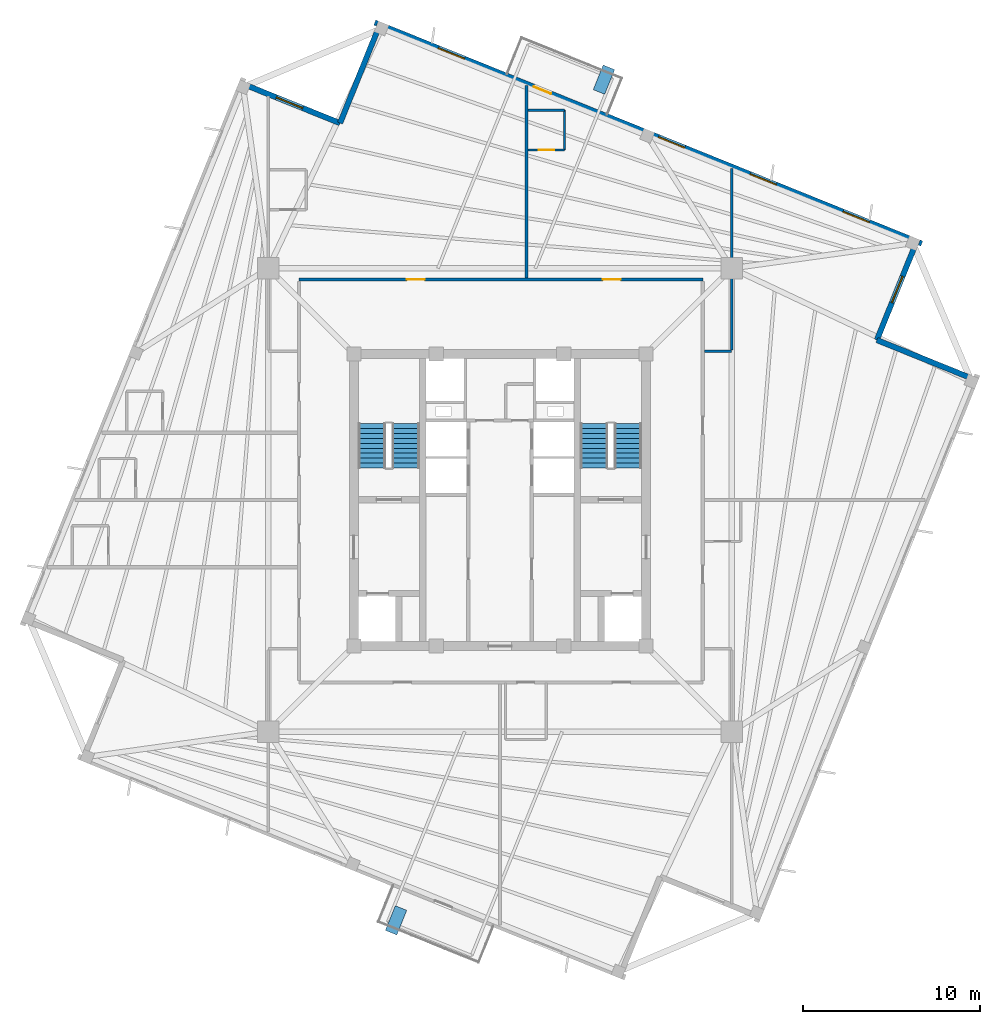
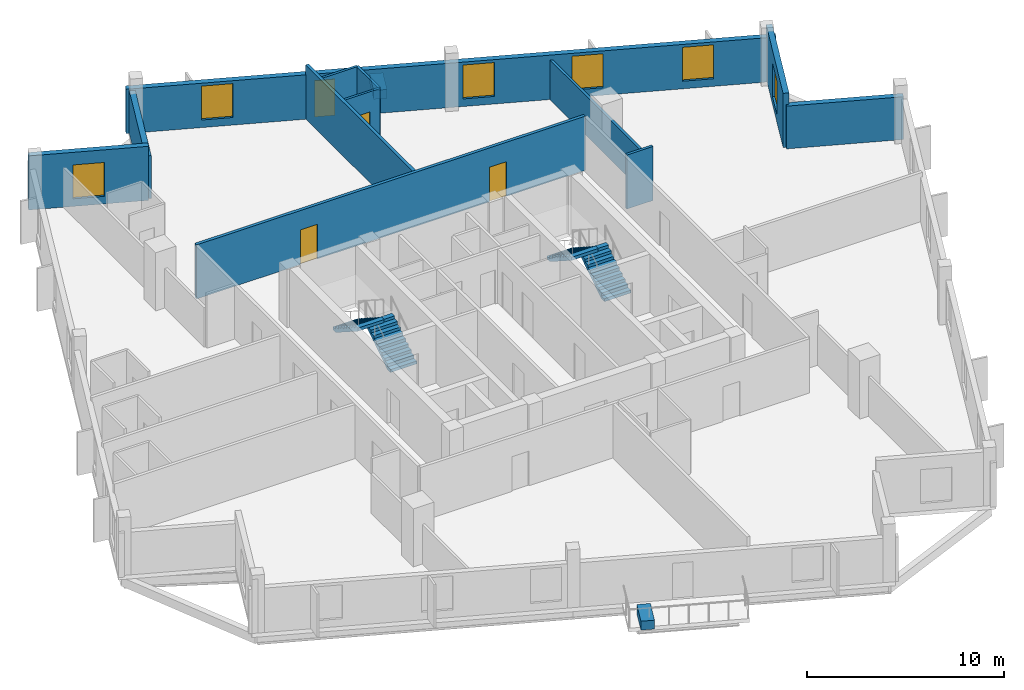
# One storey, part 5 of 8: 12 walls, 6 windows, 4 doors, 4 stair flights, 2 discrete accessories, 10 openings, 2 elements without a shape of their own.
"""IFC4 building model written with IfcOpenShell, lengths in metres."""

from ifc_helpers import new_model, si_unit, direction, frame, frame_2d, origin, origin_2d, place, context, subcontext, project, spatial, polyline, rectangle, outline, extrude, source, transform, mapped, material, layer, layer_set, type_object, element, fill, aggregate, save


model = new_model("IFC4")

# Units and contexts
model_context = context("Model", 3, precision=1e-05, world=origin(), true_north=direction((0.0, 1.0)))
body_context = subcontext(model_context, "Body", "Model", "MODEL_VIEW")
ifc_project = project(units=[si_unit("LENGTHUNIT", "METRE"), si_unit("AREAUNIT", "SQUARE_METRE"), si_unit("VOLUMEUNIT", "CUBIC_METRE"), si_unit("PLANEANGLEUNIT", "RADIAN"), si_unit("MASSUNIT", "GRAM", prefix="KILO"), si_unit("THERMODYNAMICTEMPERATUREUNIT", "KELVIN")], contexts=[model_context])

# Site, building, storey
site_placement = place(None, origin())
site = spatial("IfcSite", under=ifc_project, at=site_placement, CompositionType="ELEMENT")
building_placement = place(site_placement, origin())
building = spatial("IfcBuilding", under=site, at=building_placement, Name="Kosmvard Interchange Tower", CompositionType="ELEMENT")
storey_placement = place(building_placement, frame((0.0, 0.0, 286.800048828125)))
storey = spatial("IfcBuildingStorey", under=building, at=storey_placement, Name="L70", CompositionType="ELEMENT", Elevation=286.800048828125)

# Walls
ifc_material_1 = material(Name="Acoustic gypsum partition system")
ifc_layer_1 = layer(ifc_material_1, 0.14990234375, Name="Acoustic gypsum partition system")
ifc_layer_set_1 = layer_set([ifc_layer_1], Name="Acoustic gypsum partition system")
wall_type_1 = type_object("IfcWallType", Name="Acoustic Suite & Meeting Partition 150", PredefinedType="PARTITIONING", material=ifc_layer_set_1)
wall_1_placement = place(storey_placement, frame((11.544921875, 8.39990234375, 0.0), z_axis=(0.0, 0.0, 1.0), x_axis=(1.0, 0.0, 0.0)))
element("IfcWall", 1, at=wall_1_placement, inside=storey, type_object=wall_type_1, Name="L70 Room Partition 09.1", PredefinedType="PARTITIONING", context=body_context, shape_type="SweptSolid", body=[
    extrude(rectangle(XDim=1.5361328125, YDim=0.14990234375, at=frame_2d((0.76806640625, 0.0))), origin(), (0.0, 0.0, 1.0), 3.349853515625),
])
wall_2_placement = place(storey_placement, frame((13.0810546875, 8.47509765625, 0.0), z_axis=(0.0, 0.0, 1.0), x_axis=(0.0, 1.0, 0.0)))
element("IfcWall", 2, at=wall_2_placement, inside=storey, type_object=wall_type_1, Name="L70 Room Partition 10.1", PredefinedType="PARTITIONING", context=body_context, shape_type="SweptSolid", body=[
    extrude(rectangle(XDim=10.24267578125, YDim=0.14990234375, at=frame_2d((5.121337890625, 0.0))), origin(), (0.0, 0.0, 1.0), 2.449951171875),
])

# Wall, openings, doors
ifc_material_2 = material(Name="Fire-rated gypsum partition system")
ifc_layer_2 = layer(ifc_material_2, 0.179931640625, Name="Fire-rated gypsum partition system")
ifc_layer_set_2 = layer_set([ifc_layer_2], Name="Fire-rated gypsum partition system")
wall_type_2 = type_object("IfcWallType", Name="Corridor & Hotel Compartment Partition 180", PredefinedType="PARTITIONING", material=ifc_layer_set_2)
wall_3_placement = place(storey_placement, frame((-11.35009765625, 12.449951171875, 0.0), z_axis=(0.0, 0.0, 1.0), x_axis=(1.0, 0.0, 0.0)))
wall_3 = element("IfcWall", 3, at=wall_3_placement, inside=storey, type_object=wall_type_2, Name="L70 Corridor Wall CN", PredefinedType="PARTITIONING", context=body_context, shape_type="SweptSolid", body=[
    extrude(rectangle(XDim=22.800048828125, YDim=0.179931640625, at=frame_2d((11.39990234375, 0.0))), origin(), (0.0, 0.0, 1.0), 3.349853515625),
])
opening_1_placement = place(wall_3_placement, frame((6.08935546875, 0.0, 0.0)))
opening_1 = element("IfcOpeningElement", 4, at=opening_1_placement, cuts=wall_3, Name="Opening L70-D06", PredefinedType="OPENING", context=body_context, shape_type="SweptSolid", body=[
    extrude(rectangle(XDim=1.0, YDim=2.14990234375, at=frame_2d((0.5, 1.074951171875))), frame((0.0, 0.10009765625, 0.0), z_axis=(0.0, -1.0, 0.0), x_axis=(1.0, 0.0, 0.0)), (0.0, 0.0, 1.0), 0.199951171875),
])
opening_2_placement = place(wall_3_placement, frame((17.16064453125, 0.0, 0.0)))
opening_2 = element("IfcOpeningElement", 5, at=opening_2_placement, cuts=wall_3, Name="Opening L70-D08", PredefinedType="OPENING", context=body_context, shape_type="SweptSolid", body=[
    extrude(rectangle(XDim=1.0, YDim=2.14990234375, at=frame_2d((0.5, 1.074951171875))), frame((0.0, 0.10009765625, 0.0), z_axis=(0.0, -1.0, 0.0), x_axis=(1.0, 0.0, 0.0)), (0.0, 0.0, 1.0), 0.199951171875),
])
ifc_material_3 = material(Name="Engineered oak fire-rated timber", Category="wood")
door_type_1 = type_object("IfcDoorType", Name="Hotel Guestroom Entrance Door 1000x2150 EI60", OperationType="NOTDEFINED", PredefinedType="DOOR", material=ifc_material_3)
shared_shape_1 = source(origin(), body_context, "Body", "SweptSolid", [
    extrude(rectangle(XDim=1.0, YDim=2.14990234375, at=frame_2d((0.5, 1.074951171875))), frame((0.0, 0.02490234375, 0.0), z_axis=(0.0, -1.0, 0.0), x_axis=(1.0, 0.0, 0.0)), (0.0, 0.0, 1.0), 0.050048828125),
])
door_1_placement = place(opening_1_placement, origin())
door_1 = element("IfcDoor", 6, at=door_1_placement, inside=storey, type_object=door_type_1, Name="L70 Hotel Executive Suite 3 Door", OperationType="SINGLE_SWING_RIGHT", OverallHeight=2.14990234375, OverallWidth=1.0, PredefinedType="DOOR", context=body_context, shape_type="MappedRepresentation", body=[
    mapped(shared_shape_1, transform((0.0, 0.0, 0.0), scale=1.0)),
])
fill(opening_1, door_1)
door_2_placement = place(opening_2_placement, origin())
door_2 = element("IfcDoor", 7, at=door_2_placement, inside=storey, type_object=door_type_1, Name="L70 Hotel South-East Corner Suite 4 Door", OperationType="SINGLE_SWING_RIGHT", OverallHeight=2.14990234375, OverallWidth=1.0, PredefinedType="DOOR", context=body_context, shape_type="MappedRepresentation", body=[
    mapped(shared_shape_1, transform((0.0, 0.0, 0.0), scale=1.0)),
])
fill(opening_2, door_2)

# Walls
wall_4_placement = place(storey_placement, frame((1.5, 12.544921875, 0.0), z_axis=(0.0, 0.0, 1.0), x_axis=(0.0, 1.0, 0.0)))
element("IfcWall", 8, at=wall_4_placement, inside=storey, type_object=wall_type_2, Name="L70 Room Partition 01.1", PredefinedType="PARTITIONING", context=body_context, shape_type="SweptSolid", body=[
    extrude(rectangle(XDim=10.851806640625, YDim=0.179931640625, at=frame_2d((5.42578125, 0.0))), origin(), (0.0, 0.0, 1.0), 3.349853515625),
])
ifc_material_4 = material(Name="Precast concrete C45/55", Category="concrete")
ifc_layer_3 = layer(ifc_material_4, 0.31005859375, Name="Precast concrete C45/55")
ifc_layer_set_3 = layer_set([ifc_layer_3], Name="Precast concrete C45/55")
wall_type_3 = type_object("IfcWallType", Name="Upper Tower Precast Pier Wall 310 C45/55", PredefinedType="STANDARD", material=ifc_layer_set_3)
wall_5_placement = place(storey_placement, frame((26.8408203125, 6.7841796875, 0.0), z_axis=(0.0, 0.0, 1.0), x_axis=(-0.927171722085, 0.374636620962, 0.0)))
element("IfcWall", 9, at=wall_5_placement, inside=storey, type_object=wall_type_3, Name="L70 Precast Facade Wall N-SE1", PredefinedType="STANDARD", context=body_context, shape_type="SweptSolid", body=[
    extrude(rectangle(XDim=6.0, YDim=0.31005859375, at=frame_2d((3.0, 0.0))), origin(), (0.0, 0.0, 1.0), 2.64990234375),
])

# Wall, opening, window
wall_6_placement = place(storey_placement, frame((21.27783203125, 9.031982421875, 0.0), z_axis=(0.0, 0.0, 1.0), x_axis=(0.374602739196, 0.927185411764, 0.0)))
wall_6 = element("IfcWall", 10, at=wall_6_placement, inside=storey, type_object=wall_type_3, Name="L70 Precast Facade Wall N-SE2", PredefinedType="STANDARD", context=body_context, shape_type="SweptSolid", body=[
    extrude(rectangle(XDim=6.155029296875, YDim=0.31005859375, at=frame_2d((3.07763671875, 0.0))), origin(), (0.0, 0.0, 1.0), 3.349853515625),
])
opening_3_placement = place(wall_6_placement, frame((2.277587890625, 0.0, 0.469970703125)))
opening_3 = element("IfcOpeningElement", 11, at=opening_3_placement, cuts=wall_6, Name="Opening L70-W19", PredefinedType="OPENING", context=body_context, shape_type="SweptSolid", body=[
    extrude(rectangle(XDim=1.60009765625, YDim=2.10009765625, at=frame_2d((0.800048828125, 1.050048828125))), frame((0.0, 0.1650390625, 0.0), z_axis=(0.0, -1.0, 0.0), x_axis=(1.0, 0.0, 0.0)), (0.0, 0.0, 1.0), 0.330078125),
])
ifc_material_5 = material(Name="Low-E acoustic double glazing", Category="glass")
window_type = type_object("IfcWindowType", Name="Zone 5 Hotel Punched Window 1600x2100", PartitioningType="SINGLE_PANEL", PredefinedType="WINDOW", material=ifc_material_5)
shared_shape_2 = source(origin(), body_context, "Body", "SweptSolid", [
    extrude(rectangle(XDim=1.60009765625, YDim=2.10009765625, at=frame_2d((0.800048828125, 1.050048828125))), frame((0.0, 0.030029296875, 0.0), z_axis=(0.0, -1.0, 0.0), x_axis=(1.0, 0.0, 0.0)), (0.0, 0.0, 1.0), 0.06005859375),
])
window_1_placement = place(opening_3_placement, origin())
window_1 = element("IfcWindow", 12, at=window_1_placement, inside=storey, type_object=window_type, Name="L70 Corner Notch Window 19", OverallHeight=2.10009765625, OverallWidth=1.60009765625, PartitioningType="SINGLE_PANEL", PredefinedType="WINDOW", context=body_context, shape_type="MappedRepresentation", body=[
    mapped(shared_shape_2, transform((0.0, 0.0, 0.0), scale=1.0)),
])
fill(opening_3, window_1)

# Wall, openings, door, windows
wall_7_placement = place(storey_placement, frame((23.812744140625, 14.478759765625, 0.0), z_axis=(0.0, 0.0, 1.0), x_axis=(-0.927182657188, 0.374609557019, 0.0)))
wall_7 = element("IfcWall", 13, at=wall_7_placement, inside=storey, type_object=wall_type_3, Name="L70 Precast Facade Wall F-E", PredefinedType="STANDARD", context=body_context, shape_type="SweptSolid", body=[
    extrude(rectangle(XDim=33.31005859375, YDim=0.31005859375, at=frame_2d((16.655029296875, 0.0))), origin(), (0.0, 0.0, 1.0), 2.75),
])
opening_4_placement = place(wall_7_placement, frame((22.580078125, 0.0, 0.0)))
opening_4 = element("IfcOpeningElement", 14, at=opening_4_placement, cuts=wall_7, Name="Opening L70-BDE", PredefinedType="OPENING", context=body_context, shape_type="SweptSolid", body=[
    extrude(rectangle(XDim=1.050048828125, YDim=2.25, at=frame_2d((0.52490234375, 1.125))), frame((0.0, 0.1650390625, 0.0), z_axis=(0.0, -1.0, 0.0), x_axis=(1.0, 0.0, 0.0)), (0.0, 0.0, 1.0), 0.330078125),
])
opening_5_placement = place(wall_7_placement, frame((3.197265625, 0.0, 0.469970703125)))
opening_5 = element("IfcOpeningElement", 15, at=opening_5_placement, cuts=wall_7, Name="Opening L70-W06", PredefinedType="OPENING", context=body_context, shape_type="SweptSolid", body=[
    extrude(rectangle(XDim=1.60009765625, YDim=2.10009765625, at=frame_2d((0.800048828125, 1.050048828125))), frame((0.0, 0.1650390625, 0.0), z_axis=(0.0, -1.0, 0.0), x_axis=(1.0, 0.0, 0.0)), (0.0, 0.0, 1.0), 0.330078125),
])
opening_6_placement = place(wall_7_placement, frame((8.85986328125, 0.0, 0.469970703125)))
opening_6 = element("IfcOpeningElement", 16, at=opening_6_placement, cuts=wall_7, Name="Opening L70-W07", PredefinedType="OPENING", context=body_context, shape_type="SweptSolid", body=[
    extrude(rectangle(XDim=1.60009765625, YDim=2.10009765625, at=frame_2d((0.800048828125, 1.050048828125))), frame((0.0, 0.1650390625, 0.0), z_axis=(0.0, -1.0, 0.0), x_axis=(1.0, 0.0, 0.0)), (0.0, 0.0, 1.0), 0.330078125),
])
opening_7_placement = place(wall_7_placement, frame((14.438720703125, 0.0, 0.469970703125)))
opening_7 = element("IfcOpeningElement", 17, at=opening_7_placement, cuts=wall_7, Name="Opening L70-W08", PredefinedType="OPENING", context=body_context, shape_type="SweptSolid", body=[
    extrude(rectangle(XDim=1.60009765625, YDim=2.10009765625, at=frame_2d((0.800048828125, 1.050048828125))), frame((0.0, 0.1650390625, 0.0), z_axis=(0.0, -1.0, 0.0), x_axis=(1.0, 0.0, 0.0)), (0.0, 0.0, 1.0), 0.330078125),
])
opening_8_placement = place(wall_7_placement, frame((27.8466796875, 0.0, 0.469970703125)))
opening_8 = element("IfcOpeningElement", 18, at=opening_8_placement, cuts=wall_7, Name="Opening L70-W09", PredefinedType="OPENING", context=body_context, shape_type="SweptSolid", body=[
    extrude(rectangle(XDim=1.60009765625, YDim=2.10009765625, at=frame_2d((0.800048828125, 1.050048828125))), frame((0.0, 0.1650390625, 0.0), z_axis=(0.0, -1.0, 0.0), x_axis=(1.0, 0.0, 0.0)), (0.0, 0.0, 1.0), 0.330078125),
])
ifc_material_6 = material(Name="Anodised aluminium and safety glass", Category="aluminium")
door_type_2 = type_object("IfcDoorType", Name="Tree-Balcony Glazed Door 1050x2250", OperationType="NOTDEFINED", PredefinedType="DOOR", material=ifc_material_6)
shared_shape_3 = source(origin(), body_context, "Body", "SweptSolid", [
    extrude(rectangle(XDim=1.050048828125, YDim=2.25, at=frame_2d((0.52490234375, 1.125))), frame((0.0, 0.02490234375, 0.0), z_axis=(0.0, -1.0, 0.0), x_axis=(1.0, 0.0, 0.0)), (0.0, 0.0, 1.0), 0.050048828125),
])
door_3_placement = place(opening_4_placement, origin())
door_3 = element("IfcDoor", 19, at=door_3_placement, inside=storey, type_object=door_type_2, Name="L70 Tree-Balcony Door BAL-L70-E", OperationType="SINGLE_SWING_LEFT", OverallHeight=2.25, OverallWidth=1.050048828125, PredefinedType="DOOR", context=body_context, shape_type="MappedRepresentation", body=[
    mapped(shared_shape_3, transform((0.0, 0.0, 0.0), scale=1.0)),
])
fill(opening_4, door_3)
window_2_placement = place(opening_5_placement, origin())
window_2 = element("IfcWindow", 20, at=window_2_placement, inside=storey, type_object=window_type, Name="L70 Facade Punched Window 06", OverallHeight=2.10009765625, OverallWidth=1.60009765625, PartitioningType="SINGLE_PANEL", PredefinedType="WINDOW", context=body_context, shape_type="MappedRepresentation", body=[
    mapped(shared_shape_2, transform((0.0, 0.0, 0.0), scale=1.0)),
])
fill(opening_5, window_2)
window_3_placement = place(opening_6_placement, origin())
window_3 = element("IfcWindow", 21, at=window_3_placement, inside=storey, type_object=window_type, Name="L70 Facade Punched Window 07", OverallHeight=2.10009765625, OverallWidth=1.60009765625, PartitioningType="SINGLE_PANEL", PredefinedType="WINDOW", context=body_context, shape_type="MappedRepresentation", body=[
    mapped(shared_shape_2, transform((0.0, 0.0, 0.0), scale=1.0)),
])
fill(opening_6, window_3)
window_4_placement = place(opening_7_placement, origin())
window_4 = element("IfcWindow", 22, at=window_4_placement, inside=storey, type_object=window_type, Name="L70 Facade Punched Window 08", OverallHeight=2.10009765625, OverallWidth=1.60009765625, PartitioningType="SINGLE_PANEL", PredefinedType="WINDOW", context=body_context, shape_type="MappedRepresentation", body=[
    mapped(shared_shape_2, transform((0.0, 0.0, 0.0), scale=1.0)),
])
fill(opening_7, window_4)
window_5_placement = place(opening_8_placement, origin())
window_5 = element("IfcWindow", 23, at=window_5_placement, inside=storey, type_object=window_type, Name="L70 Facade Punched Window 09", OverallHeight=2.10009765625, OverallWidth=1.60009765625, PartitioningType="SINGLE_PANEL", PredefinedType="WINDOW", context=body_context, shape_type="MappedRepresentation", body=[
    mapped(shared_shape_2, transform((0.0, 0.0, 0.0), scale=1.0)),
])
fill(opening_8, window_5)

# Wall
wall_8_placement = place(storey_placement, frame((-6.7841796875, 26.8408203125, 0.0), z_axis=(0.0, 0.0, 1.0), x_axis=(-0.374636620962, -0.927171722085, 0.0)))
element("IfcWall", 24, at=wall_8_placement, inside=storey, type_object=wall_type_3, Name="L70 Precast Facade Wall N-NE1", PredefinedType="STANDARD", context=body_context, shape_type="SweptSolid", body=[
    extrude(rectangle(XDim=6.0, YDim=0.31005859375, at=frame_2d((3.0, 0.0))), origin(), (0.0, 0.0, 1.0), 2.64990234375),
])

# Wall, opening, window
wall_9_placement = place(storey_placement, frame((-9.031982421875, 21.27783203125, 0.0), z_axis=(0.0, 0.0, 1.0), x_axis=(-0.927185411764, 0.374602739196, 0.0)))
wall_9 = element("IfcWall", 25, at=wall_9_placement, inside=storey, type_object=wall_type_3, Name="L70 Precast Facade Wall N-NE2", PredefinedType="STANDARD", context=body_context, shape_type="SweptSolid", body=[
    extrude(rectangle(XDim=6.155029296875, YDim=0.31005859375, at=frame_2d((3.07763671875, 0.0))), origin(), (0.0, 0.0, 1.0), 3.349853515625),
])
opening_9_placement = place(wall_9_placement, frame((2.277587890625, 0.0, 0.469970703125)))
opening_9 = element("IfcOpeningElement", 26, at=opening_9_placement, cuts=wall_9, Name="Opening L70-W20", PredefinedType="OPENING", context=body_context, shape_type="SweptSolid", body=[
    extrude(rectangle(XDim=1.60009765625, YDim=2.10009765625, at=frame_2d((0.800048828125, 1.050048828125))), frame((0.0, 0.1650390625, 0.0), z_axis=(0.0, -1.0, 0.0), x_axis=(1.0, 0.0, 0.0)), (0.0, 0.0, 1.0), 0.330078125),
])
window_6_placement = place(opening_9_placement, origin())
window_6 = element("IfcWindow", 27, at=window_6_placement, inside=storey, type_object=window_type, Name="L70 Corner Notch Window 20", OverallHeight=2.10009765625, OverallWidth=1.60009765625, PartitioningType="SINGLE_PANEL", PredefinedType="WINDOW", context=body_context, shape_type="MappedRepresentation", body=[
    mapped(shared_shape_2, transform((0.0, 0.0, 0.0), scale=1.0)),
])
fill(opening_9, window_6)

# Wall, opening, door
ifc_material_7 = material(Name="Moisture-resistant gypsum partition")
ifc_layer_4 = layer(ifc_material_7, 0.135009765625, Name="Moisture-resistant gypsum partition")
ifc_layer_set_4 = layer_set([ifc_layer_4], Name="Moisture-resistant gypsum partition")
wall_type_4 = type_object("IfcWallType", Name="Wet Room Moisture-Resistant Partition 135", PredefinedType="PARTITIONING", material=ifc_layer_set_4)
wall_10_placement = place(storey_placement, frame((1.590087890625, 19.763427734375, 0.0), z_axis=(0.0, 0.0, 1.0), x_axis=(1.0, 0.0, 0.0)))
wall_10 = element("IfcWall", 28, at=wall_10_placement, inside=storey, type_object=wall_type_4, Name="L70 En-Suite Partition HPS4-S", PredefinedType="PARTITIONING", context=body_context, shape_type="SweptSolid", body=[
    extrude(rectangle(XDim=2.0498046875, YDim=0.135009765625, at=frame_2d((1.02490234375, 0.0))), origin(), (0.0, 0.0, 1.0), 3.349853515625),
])
opening_10_placement = place(wall_10_placement, frame((0.5849609375, 0.0, 0.0)))
opening_10 = element("IfcOpeningElement", 29, at=opening_10_placement, cuts=wall_10, Name="Opening L70-ED09", PredefinedType="OPENING", context=body_context, shape_type="SweptSolid", body=[
    extrude(rectangle(XDim=0.8798828125, YDim=2.10009765625, at=frame_2d((0.43994140625, 1.050048828125))), frame((0.0, 0.07763671875, 0.0), z_axis=(0.0, -1.0, 0.0), x_axis=(1.0, 0.0, 0.0)), (0.0, 0.0, 1.0), 0.155029296875),
])
ifc_material_8 = material(Name="Laminated moisture-resistant timber", Category="wood")
door_type_3 = type_object("IfcDoorType", Name="En-Suite & Washroom Door 880x2100", OperationType="NOTDEFINED", PredefinedType="DOOR", material=ifc_material_8)
shared_shape_4 = source(origin(), body_context, "Body", "SweptSolid", [
    extrude(rectangle(XDim=0.8798828125, YDim=2.10009765625, at=frame_2d((0.43994140625, 1.050048828125))), frame((0.0, 0.02490234375, 0.0), z_axis=(0.0, -1.0, 0.0), x_axis=(1.0, 0.0, 0.0)), (0.0, 0.0, 1.0), 0.050048828125),
])
door_4_placement = place(opening_10_placement, origin())
door_4 = element("IfcDoor", 30, at=door_4_placement, inside=storey, type_object=door_type_3, Name="L70 HPS4 En-Suite Door", OperationType="SINGLE_SWING_RIGHT", OverallHeight=2.10009765625, OverallWidth=0.8798828125, PredefinedType="DOOR", context=body_context, shape_type="MappedRepresentation", body=[
    mapped(shared_shape_4, transform((0.0, 0.0, 0.0), scale=1.0)),
])
fill(opening_10, door_4)

# Walls
wall_11_placement = place(storey_placement, frame((3.639892578125, 19.763427734375, 0.0), z_axis=(0.0, 0.0, 1.0), x_axis=(0.0, 1.0, 0.0)))
element("IfcWall", 31, at=wall_11_placement, inside=storey, type_object=wall_type_4, Name="L70 En-Suite Partition HPS4-E", PredefinedType="PARTITIONING", context=body_context, shape_type="SweptSolid", body=[
    extrude(rectangle(XDim=2.25, YDim=0.135009765625, at=frame_2d((1.125, 0.0))), origin(), (0.0, 0.0, 1.0), 3.349853515625),
])
wall_12_placement = place(storey_placement, frame((1.590087890625, 22.013427734375, 0.0), z_axis=(0.0, 0.0, 1.0), x_axis=(1.0, 0.0, 0.0)))
element("IfcWall", 32, at=wall_12_placement, inside=storey, type_object=wall_type_4, Name="L70 En-Suite Partition HPS4-N", PredefinedType="PARTITIONING", context=body_context, shape_type="SweptSolid", body=[
    extrude(rectangle(XDim=2.0498046875, YDim=0.135009765625, at=frame_2d((1.02490234375, 0.0))), origin(), (0.0, 0.0, 1.0), 3.349853515625),
])

# Stair, stair flights
ifc_material_9 = material(Name="Concrete C50/60", Category="concrete")
stair_type = type_object("IfcStairType", Name="Dog-Leg Core Exit Stair H3600 C50/60", PredefinedType="HALF_TURN_STAIR", material=ifc_material_9)
stair_1_placement = place(storey_placement, origin())
stair_1 = element("IfcStair", 33, at=stair_1_placement, inside=storey, type_object=stair_type, Name="L70 Protected Exit Stair ST-1", PredefinedType="HALF_TURN_STAIR")
stair_flight_type = type_object("IfcStairFlightType", Name="Core Stair Flight W1550 H3600 C50/60", PredefinedType="STRAIGHT", material=ifc_material_9)
shared_shape_5 = source(origin(), body_context, "Body", "SweptSolid", [
    extrude(outline(polyline([(0.0, 0.0), (0.0, 0.179931640625), (0.280029296875, 0.179931640625), (0.280029296875, 0.360107421875), (0.56005859375, 0.360107421875), (0.56005859375, 0.5400390625), (0.840087890625, 0.5400390625), (0.840087890625, 0.719970703125), (1.1201171875, 0.719970703125), (1.1201171875, 0.89990234375), (1.39990234375, 0.89990234375), (1.39990234375, 1.080078125), (1.679931640625, 1.080078125), (1.679931640625, 1.260009765625), (1.9599609375, 1.260009765625), (1.9599609375, 1.43994140625), (2.239990234375, 1.43994140625), (2.239990234375, 1.6201171875), (2.52001953125, 1.6201171875), (2.52001953125, 1.800048828125), (2.52001953125, 1.429931640625), (0.295654296875, 0.0), (0.0, 0.0)])), frame((0.0, 0.77490234375, 0.0), z_axis=(0.0, -1.0, 0.0), x_axis=(1.0, 0.0, 0.0)), (0.0, 0.0, 1.0), 1.550048828125),
])
stair_flight_1_placement = place(storey_placement, frame((-5.31494140625, 1.800048828125, 0.0), z_axis=(0.0, 0.0, 1.0), x_axis=(0.0, 1.0, 0.0)))
stair_flight_1 = element("IfcStairFlight", 34, at=stair_flight_1_placement, type_object=stair_flight_type, Name="ST-1 flight 1", NumberOfRisers=10, NumberOfTreads=9, PredefinedType="STRAIGHT", RiserHeight=0.18, TreadLength=0.28, context=body_context, shape_type="MappedRepresentation", body=[
    mapped(shared_shape_5, transform((0.0, 0.0, 0.0), scale=1.0)),
])
stair_flight_2_placement = place(storey_placement, frame((-7.22509765625, 4.320068359375, 1.800048828125), z_axis=(0.0, 0.0, 1.0), x_axis=(0.0, -1.0, 0.0)))
stair_flight_2 = element("IfcStairFlight", 35, at=stair_flight_2_placement, type_object=stair_flight_type, Name="ST-1 flight 2", NumberOfRisers=10, NumberOfTreads=9, PredefinedType="STRAIGHT", RiserHeight=0.18, TreadLength=0.28, context=body_context, shape_type="MappedRepresentation", body=[
    mapped(shared_shape_5, transform((0.0, 0.0, 0.0), scale=1.0)),
])
aggregate(stair_1, [stair_flight_1, stair_flight_2])

stair_2_placement = place(storey_placement, origin())
stair_2 = element("IfcStair", 36, at=stair_2_placement, inside=storey, type_object=stair_type, Name="L70 Protected Exit Stair ST-2", PredefinedType="HALF_TURN_STAIR")
stair_flight_3_placement = place(storey_placement, frame((7.22509765625, 1.800048828125, 0.0), z_axis=(0.0, 0.0, 1.0), x_axis=(0.0, 1.0, 0.0)))
stair_flight_3 = element("IfcStairFlight", 37, at=stair_flight_3_placement, type_object=stair_flight_type, Name="ST-2 flight 1", NumberOfRisers=10, NumberOfTreads=9, PredefinedType="STRAIGHT", RiserHeight=0.18, TreadLength=0.28, context=body_context, shape_type="MappedRepresentation", body=[
    mapped(shared_shape_5, transform((0.0, 0.0, 0.0), scale=1.0)),
])
stair_flight_4_placement = place(storey_placement, frame((5.31494140625, 4.320068359375, 1.800048828125), z_axis=(0.0, 0.0, 1.0), x_axis=(0.0, -1.0, 0.0)))
stair_flight_4 = element("IfcStairFlight", 38, at=stair_flight_4_placement, type_object=stair_flight_type, Name="ST-2 flight 2", NumberOfRisers=10, NumberOfTreads=9, PredefinedType="STRAIGHT", RiserHeight=0.18, TreadLength=0.28, context=body_context, shape_type="MappedRepresentation", body=[
    mapped(shared_shape_5, transform((0.0, 0.0, 0.0), scale=1.0)),
])
aggregate(stair_2, [stair_flight_3, stair_flight_4])

# Discrete accessories
ifc_material_10 = material(Name="Terracotta precast planter concrete C45/55", Category="masonry")
discrete_accessory_type = type_object("IfcDiscreteAccessoryType", Name="Precast Tree-Balcony & Terrace Planter Box", PredefinedType="USERDEFINED", material=ifc_material_10)
shared_shape_6 = source(origin(), body_context, "Body", "SweptSolid", [
    extrude(rectangle(XDim=1.5, YDim=0.699951171875, at=origin_2d()), origin(), (0.0, 0.0, 1.0), 0.550048828125),
])
for number, where, z_axis, x_axis, name in (
    (39, (5.86669921875, 23.730224609375, 0.0), (0.0, 0.0, 1.0), (0.374606593416, 0.927183854567, 0.0), "L70 Balcony Tree Planter BAL-L70-E"),
    (40, (-5.86669921875, -23.730224609375, 0.0), (0.0, 0.0, 1.0), (0.374606593416, 0.927183854567, 0.0), "L70 Balcony Tree Planter BAL-L70-W"),
):
    element("IfcDiscreteAccessory", number, at=place(storey_placement, frame(where, z_axis=z_axis, x_axis=x_axis)), inside=storey, type_object=discrete_accessory_type, Name=name, ObjectType="PLANTER", PredefinedType="USERDEFINED", context=body_context, shape_type="MappedRepresentation", body=[
        mapped(shared_shape_6, transform((0.0, 0.0, 0.0), scale=1.0)),
    ])

save(model, "model.ifc")
